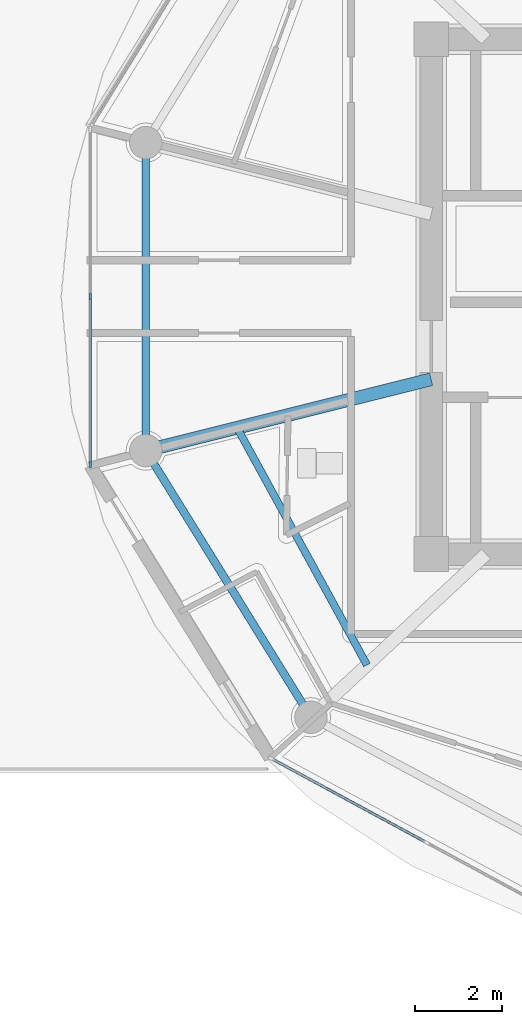
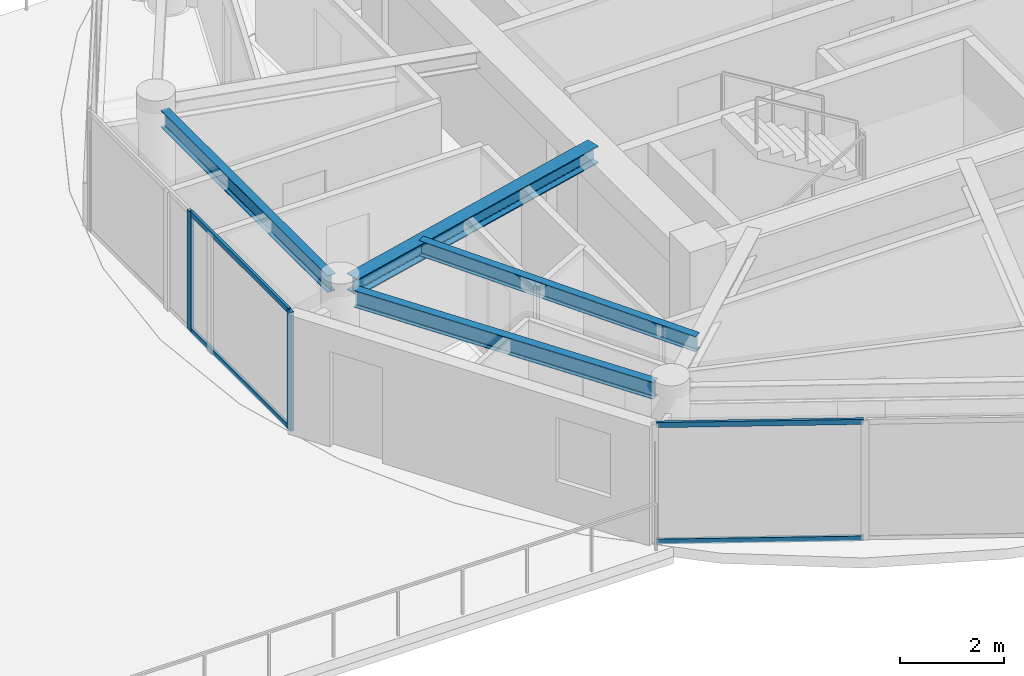
# One storey, part 6 of 30: 6 members, 4 beams, 2 elements without a shape of their own.
"""IFC4 building model written with IfcOpenShell, lengths in metres."""

from ifc_helpers import new_model, si_unit, direction, frame, origin, origin_2d, place, context, subcontext, project, spatial, rectangle, i_section, extrude, source, transform, mapped, material, layer, layer_set, material_profile, profile_set, type_object, type_shapes, element, aggregate, save


model = new_model("IFC4")

# Units and contexts
model_context = context("Model", 3, precision=1e-05, world=origin(), true_north=direction((0.0, 1.0)))
body_context = subcontext(model_context, "Body", "Model", "MODEL_VIEW")
ifc_project = project(units=[si_unit("LENGTHUNIT", "METRE"), si_unit("AREAUNIT", "SQUARE_METRE"), si_unit("VOLUMEUNIT", "CUBIC_METRE"), si_unit("PLANEANGLEUNIT", "RADIAN"), si_unit("MASSUNIT", "GRAM", prefix="KILO")], contexts=[model_context])

# Site, building, storey
site_placement = place(None, origin())
site = spatial("IfcSite", under=ifc_project, at=site_placement, CompositionType="ELEMENT")
building_placement = place(site_placement, origin())
building = spatial("IfcBuilding", under=site, at=building_placement, Name="Norrkilde Senior Care Towers", CompositionType="ELEMENT")
storey_placement = place(building_placement, frame((0.0, 0.0, 232.199951171875)))
storey = spatial("IfcBuildingStorey", under=building, at=storey_placement, Name="L72", CompositionType="ELEMENT", Elevation=232.199951171875)

# Beams
ifc_material_1 = material(Name="Steel S355", Category="steel")
ifc_material_profile_1 = material_profile(ifc_material_1, i_section(OverallWidth=0.179931640625, OverallDepth=0.39990234375, WebThickness=0.008544921875, FlangeThickness=0.013427734375, FilletRadius=0.02099609375, at=origin_2d()), Name="IPE 400")
ifc_profile_set_1 = profile_set([ifc_material_profile_1], Name="Steel S355")
beam_type_1 = type_object("IfcBeamType", Name="Perimeter Ring Spandrel Z4 IPE400", PredefinedType="SPANDREL", material=ifc_profile_set_1)
shared_shape_1 = source(origin(), body_context, "Body", "SweptSolid", [
    extrude(i_section(OverallWidth=0.179931640625, OverallDepth=0.39990234375, WebThickness=0.008544921875, FlangeThickness=0.013427734375, FilletRadius=0.02099609375, at=origin_2d()), origin(), (0.0, 0.0, 1.0), 6.58056640625),
])
beam_1_placement = place(storey_placement, frame((13.928955078125, -3.843505859375, 2.610107421875), z_axis=(0.526529583789, -0.850156807533, 0.0), x_axis=(0.850156807533, 0.526529583789, 0.0)))
element("IfcBeam", 1, at=beam_1_placement, inside=storey, type_object=beam_type_1, Name="L72 Drum E Perimeter Spandrel 07", PredefinedType="SPANDREL", context=body_context, shape_type="MappedRepresentation", body=[
    mapped(shared_shape_1, transform((0.0, 0.0, 0.0), x_axis=(1.0, 0.0, 0.0), y_axis=(0.0, 1.0, 0.0), z_axis=(0.0, 0.0, 1.0), scale=1.0)),
])
ifc_material_profile_2 = material_profile(ifc_material_1, i_section(OverallWidth=0.300048828125, OverallDepth=0.39990234375, WebThickness=0.013427734375, FlangeThickness=0.02392578125, FilletRadius=0.027099609375, at=origin_2d()), Name="HEB 400")
ifc_profile_set_2 = profile_set([ifc_material_profile_2], Name="Steel S355")
beam_type_2 = type_object("IfcBeamType", Name="Radial Floor Beam Z4 HEB400", PredefinedType="BEAM", material=ifc_profile_set_2)
shared_shape_2 = source(origin(), body_context, "Body", "SweptSolid", [
    extrude(i_section(OverallWidth=0.300048828125, OverallDepth=0.39990234375, WebThickness=0.013427734375, FlangeThickness=0.02392578125, FilletRadius=0.027099609375, at=origin_2d()), origin(), (0.0, 0.0, 1.0), 6.465087890625),
])
type_shapes(beam_type_2, [shared_shape_2])
beam_2_placement = place(storey_placement, frame((20.35009765625, -1.910888671875, 2.610107421875), z_axis=(-0.970195788563, -0.242322371758, 0.0), x_axis=(0.242322371758, -0.970195788563, 0.0)))
element("IfcBeam", 2, at=beam_2_placement, inside=storey, type_object=beam_type_2, Name="L72 Drum E Radial Floor Beam 07", PredefinedType="BEAM", context=body_context, shape_type="MappedRepresentation", body=[
    mapped(shared_shape_2, transform((0.0, 0.0, 0.0), x_axis=(1.0, 0.0, 0.0), y_axis=(0.0, 1.0, 0.0), z_axis=(0.0, 0.0, 1.0), scale=1.0)),
])
shared_shape_3 = source(origin(), body_context, "Body", "SweptSolid", [
    extrude(i_section(OverallWidth=0.179931640625, OverallDepth=0.39990234375, WebThickness=0.008544921875, FlangeThickness=0.013427734375, FilletRadius=0.02099609375, at=origin_2d()), origin(), (0.0, 0.0, 1.0), 6.44775390625),
])
type_shapes(beam_type_1, [shared_shape_1, shared_shape_3])
beam_3_placement = place(storey_placement, frame((13.752685546875, 3.223876953125, 2.610107421875), z_axis=(0.0, -1.0, 0.0), x_axis=(1.0, 0.0, 0.0)))
element("IfcBeam", 3, at=beam_3_placement, inside=storey, type_object=beam_type_1, Name="L72 Drum E Perimeter Spandrel 06", PredefinedType="SPANDREL", context=body_context, shape_type="MappedRepresentation", body=[
    mapped(shared_shape_3, transform((0.0, 0.0, 0.0), x_axis=(1.0, 0.0, 0.0), y_axis=(0.0, 1.0, 0.0), z_axis=(0.0, 0.0, 1.0), scale=1.0)),
])
ifc_material_profile_3 = material_profile(ifc_material_1, i_section(OverallWidth=0.169921875, OverallDepth=0.360107421875, WebThickness=0.008056640625, FlangeThickness=0.0126953125, FilletRadius=0.01806640625, at=origin_2d()), Name="IPE 360")
ifc_profile_set_3 = profile_set([ifc_material_profile_3], Name="Steel S355")
beam_type_3 = type_object("IfcBeamType", Name="Secondary Floor Joist IPE360", PredefinedType="JOIST", material=ifc_profile_set_3)
shared_shape_4 = source(origin(), body_context, "Body", "SweptSolid", [
    extrude(i_section(OverallWidth=0.169921875, OverallDepth=0.360107421875, WebThickness=0.008056640625, FlangeThickness=0.0126953125, FilletRadius=0.01806640625, at=origin_2d()), origin(), (0.0, 0.0, 1.0), 6.25146484375),
])
type_shapes(beam_type_3, [shared_shape_4])
beam_4_placement = place(storey_placement, frame((15.86376953125, -3.031494140625, 2.630126953125), z_axis=(0.480115752653, -0.877205143655, 0.0), x_axis=(0.877205143655, 0.480115752653, 0.0)))
element("IfcBeam", 4, at=beam_4_placement, inside=storey, type_object=beam_type_3, Name="L72 Drum E Secondary Floor Joist 3", PredefinedType="JOIST", context=body_context, shape_type="MappedRepresentation", body=[
    mapped(shared_shape_4, transform((0.0, 0.0, 0.0), x_axis=(1.0, 0.0, 0.0), y_axis=(0.0, 1.0, 0.0), z_axis=(0.0, 0.0, 1.0), scale=1.0)),
])

# Curtain wall, members
ifc_material_2 = material(Name="Triple Low-E Insulated Glazing", Category="glass")
ifc_layer = layer(ifc_material_2, 0.18505859375)
ifc_layer_set = layer_set([ifc_layer], Name="Triple Low-E Insulated Glazing")
curtain_wall_type = type_object("IfcCurtainWallType", Name="CW6 Zone 4 Crown Pavilion Curtain Wall", PredefinedType="NOTDEFINED", material=ifc_layer_set)
curtain_wall_1_placement = place(storey_placement, origin())
curtain_wall_1 = element("IfcCurtainWall", 5, at=curtain_wall_1_placement, inside=storey, type_object=curtain_wall_type, Name="L72 Drum E Curtain Wall 05", PredefinedType="NOTDEFINED")
ifc_material_3 = material(Name="Anodised Aluminium", Category="aluminium")
ifc_material_profile_4 = material_profile(ifc_material_3, rectangle(XDim=0.06494140625, YDim=0.14990234375, at=origin_2d()), Name="ALU MULL 65x150")
ifc_profile_set_4 = profile_set([ifc_material_profile_4], Name="Anodised Aluminium")
member_type_1 = type_object("IfcMemberType", Name="Curtain Wall Mullion Z3-Z4 65x150", PredefinedType="MULLION", material=ifc_profile_set_4)
shared_shape_5 = source(origin(), body_context, "Body", "SweptSolid", [
    extrude(rectangle(XDim=0.06494140625, YDim=0.14990234375, at=origin_2d()), origin(), (0.0, 0.0, 1.0), 2.81005859375),
])
type_shapes(member_type_1, [shared_shape_5])
member_1_placement = place(storey_placement, frame((12.468017578125, -3.87060546875, 0.0), z_axis=(0.0, 0.0, 1.0), x_axis=(-1.0, 0.0, 0.0)))
member_1 = element("IfcMember", 6, at=member_1_placement, type_object=member_type_1, Name="CW-6 mullion 1", PredefinedType="MULLION", context=body_context, shape_type="MappedRepresentation", body=[
    mapped(shared_shape_5, transform((0.0, 0.0, 0.0), x_axis=(1.0, 0.0, 0.0), y_axis=(0.0, 1.0, 0.0), z_axis=(0.0, 0.0, 1.0), scale=1.0)),
])
member_2_placement = place(storey_placement, frame((12.468017578125, 0.0, 0.0), z_axis=(0.0, 0.0, 1.0), x_axis=(-1.0, 0.0, 0.0)))
member_2 = element("IfcMember", 7, at=member_2_placement, type_object=member_type_1, Name="CW-6 mullion 2", PredefinedType="MULLION", context=body_context, shape_type="MappedRepresentation", body=[
    mapped(shared_shape_5, transform((0.0, 0.0, 0.0), x_axis=(1.0, 0.0, 0.0), y_axis=(0.0, 1.0, 0.0), z_axis=(0.0, 0.0, 1.0), scale=1.0)),
])

curtain_wall_2_placement = place(storey_placement, origin())
curtain_wall_2 = element("IfcCurtainWall", 8, at=curtain_wall_2_placement, inside=storey, type_object=curtain_wall_type, Name="L72 Drum E Curtain Wall 07", PredefinedType="NOTDEFINED")
ifc_material_profile_5 = material_profile(ifc_material_3, rectangle(XDim=0.06005859375, YDim=0.1201171875, at=origin_2d()), Name="ALU TRAN 60x120")
ifc_profile_set_5 = profile_set([ifc_material_profile_5], Name="Anodised Aluminium")
member_type_2 = type_object("IfcMemberType", Name="Curtain Wall Transom Typical 60x120", PredefinedType="USERDEFINED", material=ifc_profile_set_5)
shared_shape_6 = source(origin(), body_context, "Body", "SweptSolid", [
    extrude(rectangle(XDim=0.06005859375, YDim=0.1201171875, at=origin_2d()), origin(), (0.0, 0.0, 1.0), 4.001220703125),
])
member_3_placement = place(storey_placement, frame((20.205322265625, -12.59912109375, 0.030029296875), z_axis=(-0.879381388479, 0.476118024861, 0.0), x_axis=(-0.476118024861, -0.879381388479, 0.0)))
member_3 = element("IfcMember", 9, at=member_3_placement, type_object=member_type_2, Name="CW-6 transom 2.1", ObjectType="TRANSOM", PredefinedType="USERDEFINED", context=body_context, shape_type="MappedRepresentation", body=[
    mapped(shared_shape_6, transform((0.0, 0.0, 0.0), x_axis=(1.0, 0.0, 0.0), y_axis=(0.0, 1.0, 0.0), z_axis=(0.0, 0.0, 1.0), scale=1.0)),
])
member_4_placement = place(storey_placement, frame((20.205322265625, -12.59912109375, 2.780029296875), z_axis=(-0.879381388479, 0.476118024861, 0.0), x_axis=(-0.476118024861, -0.879381388479, 0.0)))
member_4 = element("IfcMember", 10, at=member_4_placement, type_object=member_type_2, Name="CW-6 transom 2.2", ObjectType="TRANSOM", PredefinedType="USERDEFINED", context=body_context, shape_type="MappedRepresentation", body=[
    mapped(shared_shape_6, transform((0.0, 0.0, 0.0), x_axis=(1.0, 0.0, 0.0), y_axis=(0.0, 1.0, 0.0), z_axis=(0.0, 0.0, 1.0), scale=1.0)),
])
aggregate(curtain_wall_2, [member_3, member_4])

# Member
shared_shape_7 = source(origin(), body_context, "Body", "SweptSolid", [
    extrude(rectangle(XDim=0.06005859375, YDim=0.1201171875, at=origin_2d()), origin(), (0.0, 0.0, 1.0), 3.805419921875),
])
type_shapes(member_type_2, [shared_shape_6, shared_shape_7])
member_5_placement = place(storey_placement, frame((12.468017578125, -3.837890625, 0.030029296875), z_axis=(0.0, 1.0, 0.0), x_axis=(-1.0, 0.0, 0.0)))
member_5 = element("IfcMember", 11, at=member_5_placement, type_object=member_type_2, Name="CW-6 transom 1.1", ObjectType="TRANSOM", PredefinedType="USERDEFINED", context=body_context, shape_type="MappedRepresentation", body=[
    mapped(shared_shape_7, transform((0.0, 0.0, 0.0), x_axis=(1.0, 0.0, 0.0), y_axis=(0.0, 1.0, 0.0), z_axis=(0.0, 0.0, 1.0), scale=1.0)),
])

member_6_placement = place(storey_placement, frame((12.468017578125, -3.837890625, 2.780029296875), z_axis=(0.0, 1.0, 0.0), x_axis=(-1.0, 0.0, 0.0)))
member_6 = element("IfcMember", 12, at=member_6_placement, type_object=member_type_2, Name="CW-6 transom 1.2", ObjectType="TRANSOM", PredefinedType="USERDEFINED", context=body_context, shape_type="MappedRepresentation", body=[
    mapped(shared_shape_7, transform((0.0, 0.0, 0.0), x_axis=(1.0, 0.0, 0.0), y_axis=(0.0, 1.0, 0.0), z_axis=(0.0, 0.0, 1.0), scale=1.0)),
])

aggregate(curtain_wall_1, [member_1, member_2, member_5, member_6])

save(model, "model.ifc")
